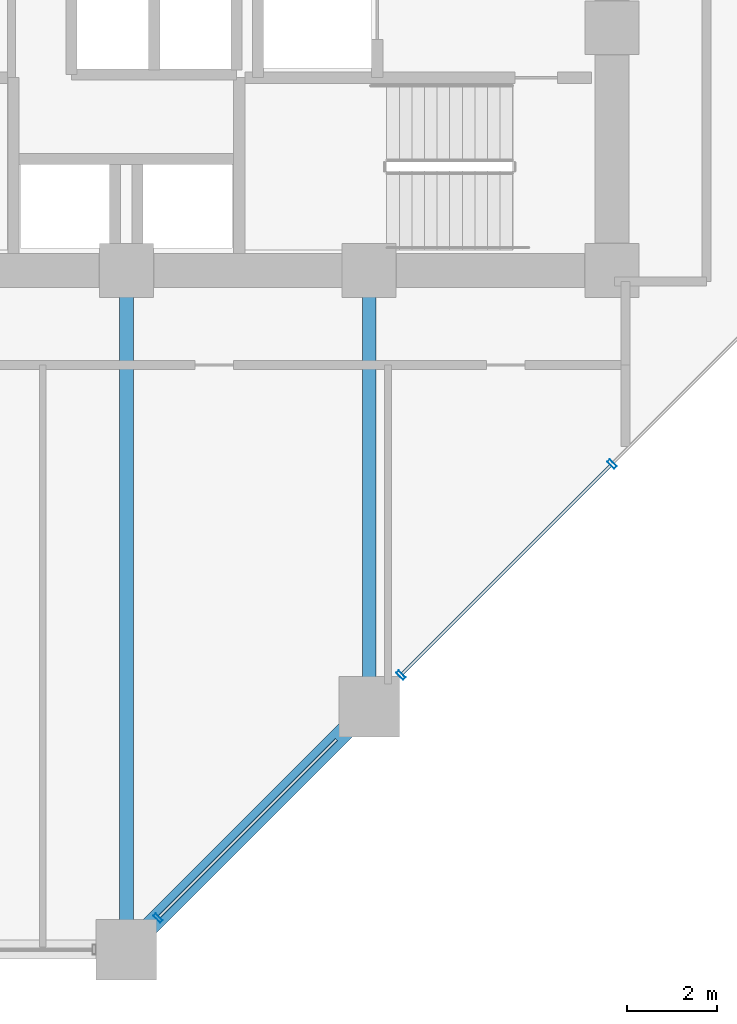
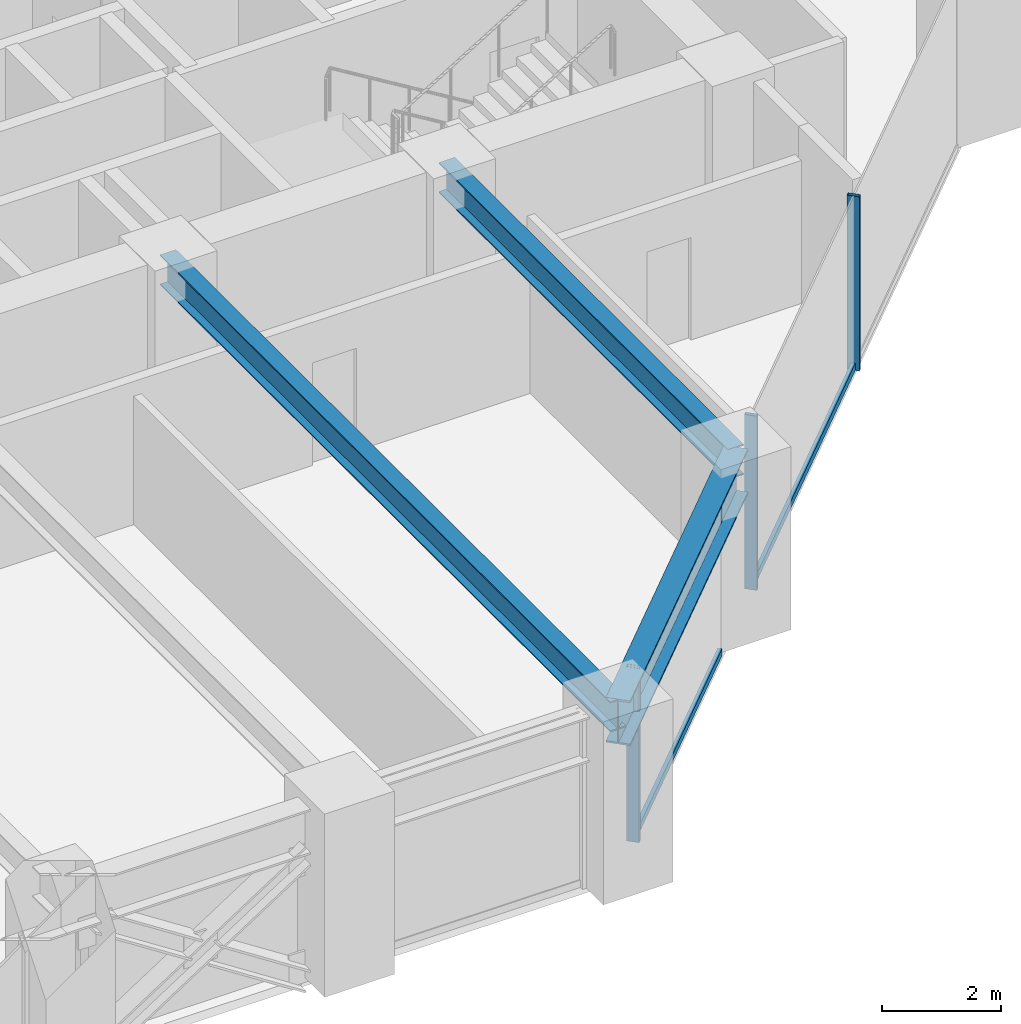
# One storey, part 7 of 25: 5 members, 3 beams, 1 element without a shape of its own.
"""IFC4 building model written with IfcOpenShell, lengths in metres."""

from ifc_helpers import new_model, si_unit, direction, frame, origin, origin_2d, place, context, subcontext, project, spatial, hollow_rectangle, i_section, extrude, material, layer, layer_set, material_profile, profile_set, type_object, element, aggregate, save


model = new_model("IFC4")

# Units and contexts
model_context = context("Model", 3, precision=1e-05, world=origin(), true_north=direction((0.0, 1.0)))
body_context = subcontext(model_context, "Body", "Model", "MODEL_VIEW")
ifc_project = project(units=[si_unit("LENGTHUNIT", "METRE"), si_unit("AREAUNIT", "SQUARE_METRE"), si_unit("VOLUMEUNIT", "CUBIC_METRE"), si_unit("PLANEANGLEUNIT", "RADIAN"), si_unit("MASSUNIT", "GRAM", prefix="KILO")], contexts=[model_context])

# Site, building, storey
site_placement = place(None, origin())
site = spatial("IfcSite", under=ifc_project, at=site_placement, CompositionType="ELEMENT")
building_placement = place(site_placement, origin())
building = spatial("IfcBuilding", under=site, at=building_placement, Name="Surkhivell Harbour Commons", CompositionType="ELEMENT")
storey_placement = place(building_placement, frame((0.0, 0.0, 48.75)))
storey = spatial("IfcBuildingStorey", under=building, at=storey_placement, Name="L12", CompositionType="ELEMENT", Elevation=48.75)

# Beams
ifc_material_1 = material(Name="Steel S355", Category="steel")
ifc_material_profile_1 = material_profile(ifc_material_1, i_section(OverallWidth=0.306884765625, OverallDepth=0.6201171875, WebThickness=0.01416015625, FlangeThickness=0.023681640625, at=origin_2d()), Name="UB610x305x179")
ifc_profile_set_1 = profile_set([ifc_material_profile_1], Name="Steel S355")
beam_type_1 = type_object("IfcBeamType", Name="BM-GRD-610A", PredefinedType="BEAM", material=ifc_profile_set_1)
beam_1_placement = place(storey_placement, frame((0.0, -25.89990234375, 3.260009765625), z_axis=(0.0, 1.0, 0.0), x_axis=(-1.0, 0.0, 0.0)))
element("IfcBeam", 1, at=beam_1_placement, inside=storey, type_object=beam_type_1, Name="L12 Floor Girder (0.0,-25.9)", PredefinedType="BEAM", context=body_context, shape_type="SweptSolid", body=[
    extrude(i_section(OverallWidth=0.306884765625, OverallDepth=0.6201171875, WebThickness=0.01416015625, FlangeThickness=0.023681640625, at=origin_2d()), origin(), (0.0, 0.0, 1.0), 15.099853515625),
])
beam_2_placement = place(storey_placement, frame((5.39990234375, -20.5, 3.260009765625), z_axis=(0.0, 1.0, 0.0), x_axis=(-1.0, 0.0, 0.0)))
element("IfcBeam", 2, at=beam_2_placement, inside=storey, type_object=beam_type_1, Name="L12 Floor Girder (5.4,-20.5)", PredefinedType="BEAM", context=body_context, shape_type="SweptSolid", body=[
    extrude(i_section(OverallWidth=0.306884765625, OverallDepth=0.6201171875, WebThickness=0.01416015625, FlangeThickness=0.023681640625, at=origin_2d()), origin(), (0.0, 0.0, 1.0), 9.699951171875),
])
ifc_material_2 = material(Name="Steel S460", Category="steel")
ifc_material_profile_2 = material_profile(ifc_material_2, i_section(OverallWidth=0.419921875, OverallDepth=0.9208984375, WebThickness=0.021484375, FlangeThickness=0.03662109375, at=origin_2d()), Name="UB914x419x388")
ifc_profile_set_2 = profile_set([ifc_material_profile_2], Name="Steel S460")
beam_type_2 = type_object("IfcBeamType", Name="BM-SPN-914A", PredefinedType="SPANDREL", material=ifc_profile_set_2)
beam_3_placement = place(storey_placement, frame((0.0, -25.89990234375, 3.109619140625), z_axis=(0.707106781187, 0.707106781187, 0.0), x_axis=(-0.707106781187, 0.707106781187, 0.0)))
element("IfcBeam", 3, at=beam_3_placement, inside=storey, type_object=beam_type_2, Name="L12 Tube Spandrel (-0.0,-25.9)", PredefinedType="SPANDREL", context=body_context, shape_type="SweptSolid", body=[
    extrude(i_section(OverallWidth=0.419921875, OverallDepth=0.9208984375, WebThickness=0.021484375, FlangeThickness=0.03662109375, at=origin_2d()), origin(), (0.0, 0.0, 1.0), 7.63671875),
])

# Curtain wall, members
ifc_material_3 = material(Name="Anodised pale-metal aluminium and insulated glazing", Category="aluminium")
ifc_layer = layer(ifc_material_3, 0.219970703125)
ifc_layer_set = layer_set([ifc_layer], Name="Anodised pale-metal aluminium and insulated glazing")
curtain_wall_type = type_object("IfcCurtainWallType", Name="CW-SYS-Z1", PredefinedType="NOTDEFINED", material=ifc_layer_set)
curtain_wall_placement = place(storey_placement, origin())
curtain_wall = element("IfcCurtainWall", 4, at=curtain_wall_placement, inside=storey, type_object=curtain_wall_type, Name="L12 Curtain Wall CW-L12-E01", PredefinedType="NOTDEFINED")
ifc_material_4 = material(Name="Anodised pale-metal aluminium alloy 6063-T6", Category="aluminium")
ifc_material_profile_3 = material_profile(ifc_material_4, hollow_rectangle(XDim=0.074951171875, YDim=0.219970703125, WallThickness=0.00390625, at=origin_2d()), Name="ALU-MULL-75x220")
ifc_profile_set_3 = profile_set([ifc_material_profile_3], Name="Anodised pale-metal aluminium alloy 6063-T6")
member_type_1 = type_object("IfcMemberType", Name="CWM-220", PredefinedType="MULLION", material=ifc_profile_set_3)
member_1_placement = place(storey_placement, frame((0.703369140625, -25.19677734375, 0.0), z_axis=(0.0, 0.0, 1.0), x_axis=(0.707106781187, 0.707106781187, 0.0)))
member_1 = element("IfcMember", 5, at=member_1_placement, type_object=member_type_1, Name="CW-Z1 mullion 1", PredefinedType="MULLION", context=body_context, shape_type="SweptSolid", body=[
    extrude(hollow_rectangle(XDim=0.074951171875, YDim=0.219970703125, WallThickness=0.00390625, at=origin_2d()), origin(), (0.0, 0.0, 1.0), 3.570068359375),
])
member_2_placement = place(storey_placement, frame((6.103271484375, -19.796630859375, 0.0), z_axis=(0.0, 0.0, 1.0), x_axis=(0.707106781187, 0.707106781187, 0.0)))
member_2 = element("IfcMember", 6, at=member_2_placement, type_object=member_type_1, Name="CW-Z1 mullion 2", PredefinedType="MULLION", context=body_context, shape_type="SweptSolid", body=[
    extrude(hollow_rectangle(XDim=0.074951171875, YDim=0.219970703125, WallThickness=0.00390625, at=origin_2d()), origin(), (0.0, 0.0, 1.0), 3.570068359375),
])
member_3_placement = place(storey_placement, frame((10.800048828125, -15.10009765625, 0.0), z_axis=(0.0, 0.0, 1.0), x_axis=(0.707106781187, 0.707106781187, 0.0)))
member_3 = element("IfcMember", 7, at=member_3_placement, type_object=member_type_1, Name="CW-Z1 mullion 3", PredefinedType="MULLION", context=body_context, shape_type="SweptSolid", body=[
    extrude(hollow_rectangle(XDim=0.074951171875, YDim=0.219970703125, WallThickness=0.00390625, at=origin_2d()), origin(), (0.0, 0.0, 1.0), 3.570068359375),
])
ifc_material_profile_4 = material_profile(ifc_material_4, hollow_rectangle(XDim=0.074951171875, YDim=0.14990234375, WallThickness=0.00341796875, at=origin_2d()), Name="ALU-TRAN-75x150")
ifc_profile_set_4 = profile_set([ifc_material_profile_4], Name="Anodised pale-metal aluminium alloy 6063-T6")
member_type_2 = type_object("IfcMemberType", Name="CWT-150", PredefinedType="USERDEFINED", material=ifc_profile_set_4)
member_4_placement = place(storey_placement, frame((0.729736328125, -25.170166015625, 0.074951171875), z_axis=(0.707106781187, 0.707106781187, 0.0), x_axis=(-0.707106781187, 0.707106781187, 0.0)))
member_4 = element("IfcMember", 8, at=member_4_placement, type_object=member_type_2, Name="CW-Z1 transom 1.1", ObjectType="TRANSOM", PredefinedType="USERDEFINED", context=body_context, shape_type="SweptSolid", body=[
    extrude(hollow_rectangle(XDim=0.074951171875, YDim=0.14990234375, WallThickness=0.00341796875, at=origin_2d()), origin(), (0.0, 0.0, 1.0), 5.572509765625),
])
member_5_placement = place(storey_placement, frame((6.1298828125, -19.770263671875, 0.074951171875), z_axis=(0.707088192925, 0.70712536896, 0.0), x_axis=(-0.70712536896, 0.707088192925, 0.0)))
member_5 = element("IfcMember", 9, at=member_5_placement, type_object=member_type_2, Name="CW-Z1 transom 2.1", ObjectType="TRANSOM", PredefinedType="USERDEFINED", context=body_context, shape_type="SweptSolid", body=[
    extrude(hollow_rectangle(XDim=0.074951171875, YDim=0.14990234375, WallThickness=0.00341796875, at=origin_2d()), origin(), (0.0, 0.0, 1.0), 6.567138671875),
])
aggregate(curtain_wall, [member_1, member_4, member_2, member_3, member_5])

save(model, "model.ifc")
